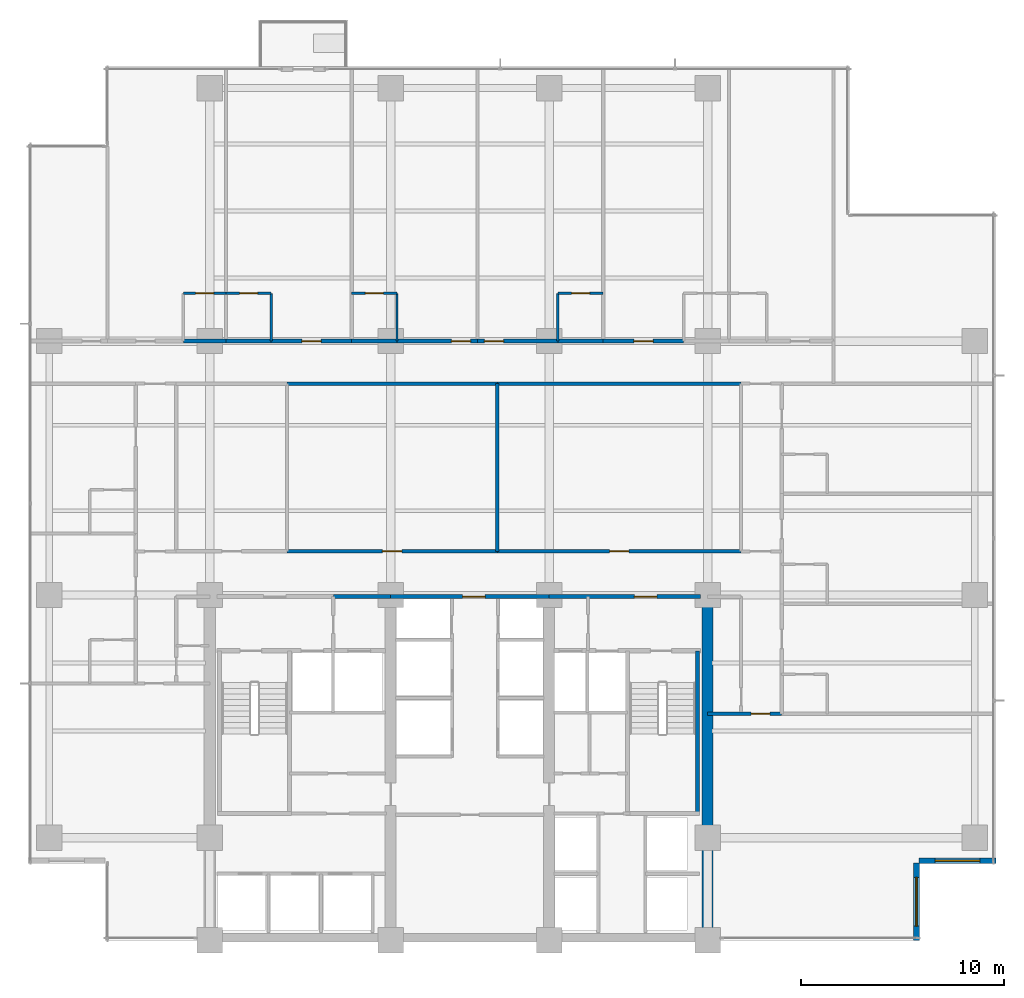
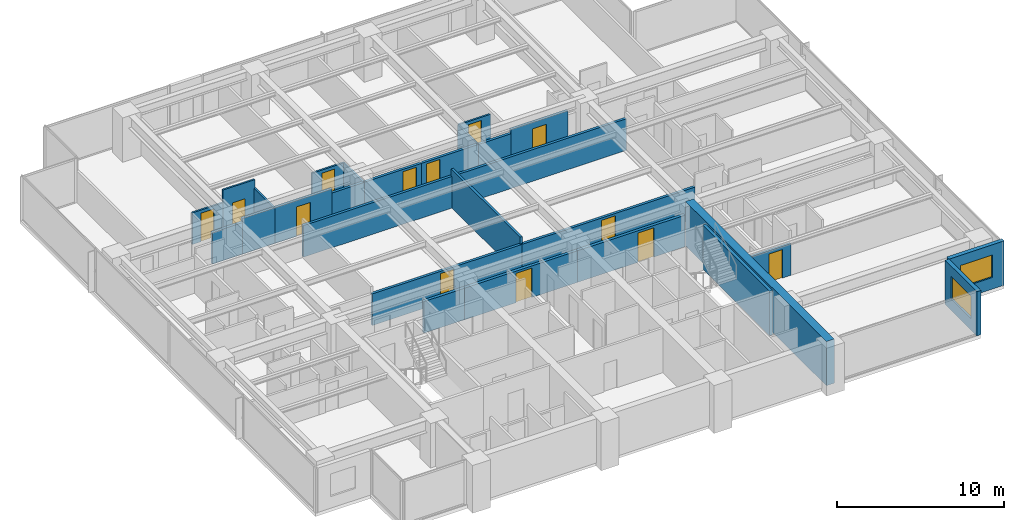
# One storey, part 10 of 17: 28 walls, 13 doors, 2 windows, 15 openings.
"""IFC4 building model written with IfcOpenShell, lengths in metres."""

from ifc_helpers import new_model, si_unit, direction, frame, frame_2d, origin, place, context, subcontext, project, spatial, rectangle, extrude, material, layer, layer_set, type_object, element, fill, save


model = new_model("IFC4")

# Units and contexts
model_context = context("Model", 3, precision=1e-05, world=origin(), true_north=direction((0.0, 1.0)))
body_context = subcontext(model_context, "Body", "Model", "MODEL_VIEW")
ifc_project = project(units=[si_unit("LENGTHUNIT", "METRE"), si_unit("AREAUNIT", "SQUARE_METRE"), si_unit("VOLUMEUNIT", "CUBIC_METRE"), si_unit("PLANEANGLEUNIT", "RADIAN"), si_unit("MASSUNIT", "GRAM", prefix="KILO")], contexts=[model_context])

# Site, building, storey
site_placement = place(None, origin())
site = spatial("IfcSite", under=ifc_project, at=site_placement, CompositionType="ELEMENT")
building_placement = place(site_placement, origin())
building = spatial("IfcBuilding", under=site, at=building_placement, Name="Qalmaran Belvedere Hotel", CompositionType="ELEMENT")
storey_placement = place(building_placement, frame((0.0, 0.0, 105.699951171875)))
storey = spatial("IfcBuildingStorey", under=building, at=storey_placement, Name="L26", CompositionType="ELEMENT", Elevation=105.699951171875)

# Wall
ifc_material_1 = material(Name="Concrete C60/75", Category="concrete")
ifc_layer_1 = layer(ifc_material_1, 0.550048828125, Name="Concrete C60/75")
ifc_layer_set_1 = layer_set([ifc_layer_1], Name="Concrete C60/75")
wall_type_1 = type_object("IfcWallType", Name="WL-CORE-550-C60", PredefinedType="SHEAR", material=ifc_layer_set_1)
wall_1_placement = place(storey_placement, frame((44.800048828125, 3.5, 0.0), z_axis=(0.0, 0.0, 1.0), x_axis=(0.0, 1.0, 0.0)))
element("IfcWall", 1, at=wall_1_placement, inside=storey, type_object=wall_type_1, Name="L26 East Core Shear Wall", PredefinedType="SHEAR", context=body_context, shape_type="SweptSolid", body=[
    extrude(rectangle(XDim=16.89990234375, YDim=0.550048828125, at=frame_2d((8.449951171875, 0.0))), origin(), (0.0, 0.0, 1.0), 3.239990234375),
])

# Wall, opening, window
ifc_material_2 = material(Name="Anodised Bronze Cladding")
ifc_layer_2 = layer(ifc_material_2, 0.280029296875, Name="Anodised Bronze Cladding")
ifc_layer_set_2 = layer_set([ifc_layer_2], Name="Anodised Bronze Cladding")
wall_type_2 = type_object("IfcWallType", Name="WL-EXT-BRNZ-280", PredefinedType="SOLIDWALL", material=ifc_layer_set_2)
wall_2_placement = place(storey_placement, frame((55.080078125, 3.5, 0.0), z_axis=(0.0, 0.0, 1.0), x_axis=(0.0, 1.0, 0.0)))
wall_2 = element("IfcWall", 2, at=wall_2_placement, inside=storey, type_object=wall_type_2, Name="L26 Corner Notch Wall 1", PredefinedType="SOLIDWALL", context=body_context, shape_type="SweptSolid", body=[
    extrude(rectangle(XDim=3.800048828125, YDim=0.280029296875, at=frame_2d((1.89990234375, 0.0))), origin(), (0.0, 0.0, 1.0), 3.239990234375),
])
opening_1_placement = place(wall_2_placement, frame((0.699951171875, 0.0, 0.85009765625)))
opening_1 = element("IfcOpeningElement", 3, at=opening_1_placement, cuts=wall_2, Name="Opening W-N24", PredefinedType="OPENING", context=body_context, shape_type="SweptSolid", body=[
    extrude(rectangle(XDim=2.39990234375, YDim=1.64990234375, at=frame_2d((1.199951171875, 0.824951171875))), frame((0.0, 0.14990234375, 0.0), z_axis=(0.0, -1.0, 0.0), x_axis=(1.0, 0.0, 0.0)), (0.0, 0.0, 1.0), 0.300048828125),
])
ifc_material_3 = material(Name="Solar-Control Double Glazing", Category="glass")
window_type_1 = type_object("IfcWindowType", Name="WN-NTC-2400X1650", PartitioningType="SINGLE_PANEL", PredefinedType="WINDOW", material=ifc_material_3)
window_1_placement = place(opening_1_placement, origin())
window_1 = element("IfcWindow", 4, at=window_1_placement, inside=storey, type_object=window_type_1, Name="L26 Corner Notch Window 1", OverallHeight=1.64990234375, OverallWidth=2.39990234375, PartitioningType="SINGLE_PANEL", PredefinedType="WINDOW", context=body_context, shape_type="SweptSolid", body=[
    extrude(rectangle(XDim=2.39990234375, YDim=1.64990234375, at=frame_2d((1.199951171875, 0.824951171875))), frame((0.0, 0.030029296875, 0.0), z_axis=(0.0, -1.0, 0.0), x_axis=(1.0, 0.0, 0.0)), (0.0, 0.0, 1.0), 0.06005859375),
])
fill(opening_1, window_1)

wall_3_placement = place(storey_placement, frame((55.199951171875, 7.419921875, 0.0), z_axis=(0.0, 0.0, 1.0), x_axis=(1.0, 0.0, 0.0)))
wall_3 = element("IfcWall", 5, at=wall_3_placement, inside=storey, type_object=wall_type_2, Name="L26 Corner Notch Wall 2", PredefinedType="SOLIDWALL", context=body_context, shape_type="SweptSolid", body=[
    extrude(rectangle(XDim=3.800048828125, YDim=0.280029296875, at=frame_2d((1.89990234375, 0.0))), origin(), (0.0, 0.0, 1.0), 3.239990234375),
])
opening_2_placement = place(wall_3_placement, frame((0.800048828125, 0.0, 0.85009765625)))
opening_2 = element("IfcOpeningElement", 6, at=opening_2_placement, cuts=wall_3, Name="Opening W-N22", PredefinedType="OPENING", context=body_context, shape_type="SweptSolid", body=[
    extrude(rectangle(XDim=2.199951171875, YDim=1.64990234375, at=frame_2d((1.10009765625, 0.824951171875))), frame((0.0, 0.14990234375, 0.0), z_axis=(0.0, -1.0, 0.0), x_axis=(1.0, 0.0, 0.0)), (0.0, 0.0, 1.0), 0.300048828125),
])
window_type_2 = type_object("IfcWindowType", Name="WN-NTC-2200X1650", PartitioningType="SINGLE_PANEL", PredefinedType="WINDOW", material=ifc_material_3)
window_2_placement = place(opening_2_placement, origin())
window_2 = element("IfcWindow", 7, at=window_2_placement, inside=storey, type_object=window_type_2, Name="L26 Corner Notch Window 2", OverallHeight=1.64990234375, OverallWidth=2.199951171875, PartitioningType="SINGLE_PANEL", PredefinedType="WINDOW", context=body_context, shape_type="SweptSolid", body=[
    extrude(rectangle(XDim=2.199951171875, YDim=1.64990234375, at=frame_2d((1.10009765625, 0.824951171875))), frame((0.0, 0.030029296875, 0.0), z_axis=(0.0, -1.0, 0.0), x_axis=(1.0, 0.0, 0.0)), (0.0, 0.0, 1.0), 0.06005859375),
])
fill(opening_2, window_2)

# Wall, opening, door
ifc_material_4 = material(Name="Moisture-Resistant Gypsum")
ifc_layer_3 = layer(ifc_material_4, 0.1201171875, Name="Moisture-Resistant Gypsum")
ifc_layer_set_3 = layer_set([ifc_layer_3], Name="Moisture-Resistant Gypsum")
wall_type_3 = type_object("IfcWallType", Name="WL-INT-120-BATH", PredefinedType="PARTITIONING", material=ifc_layer_set_3)
wall_4_placement = place(storey_placement, frame((18.99560546875, 35.35009765625, 0.0), z_axis=(0.0, 0.0, 1.0), x_axis=(1.0, 0.0, 0.0)))
wall_4 = element("IfcWall", 8, at=wall_4_placement, inside=storey, type_object=wall_type_3, Name="L26 Partition WL-L26-NBN00", PredefinedType="PARTITIONING", context=body_context, shape_type="SweptSolid", body=[
    extrude(rectangle(XDim=2.10009765625, YDim=0.1201171875, at=frame_2d((1.050048828125, 0.0))), origin(), (0.0, 0.0, 1.0), 2.31298828125),
])
opening_3_placement = place(wall_4_placement, frame((1.489990234375, 0.0, 0.0), z_axis=(0.0, 0.0, 1.0), x_axis=(-1.0, 0.0, 0.0)))
opening_3 = element("IfcOpeningElement", 9, at=opening_3_placement, cuts=wall_4, Name="Opening D-BATH", PredefinedType="OPENING", context=body_context, shape_type="SweptSolid", body=[
    extrude(rectangle(XDim=0.8798828125, YDim=2.080078125, at=frame_2d((0.43994140625, 1.0400390625))), frame((0.0, 0.070068359375, 0.0), z_axis=(0.0, -1.0, 0.0), x_axis=(1.0, 0.0, 0.0)), (0.0, 0.0, 1.0), 0.14013671875),
])
ifc_material_5 = material(Name="Engineered Oak Veneer")
door_type_1 = type_object("IfcDoorType", Name="DR-INT-BATH-880X2080", OperationType="NOTDEFINED", PredefinedType="DOOR", material=ifc_material_5)
door_1_placement = place(opening_3_placement, origin())
door_1 = element("IfcDoor", 10, at=door_1_placement, inside=storey, type_object=door_type_1, Name="L26 Ensuite Bathroom Door N01", OperationType="SINGLE_SWING_LEFT", OverallHeight=2.080078125, OverallWidth=0.8798828125, PredefinedType="DOOR", context=body_context, shape_type="SweptSolid", body=[
    extrude(rectangle(XDim=0.8798828125, YDim=2.080078125, at=frame_2d((0.43994140625, 1.0400390625))), frame((0.0, 0.02490234375, 0.0), z_axis=(0.0, -1.0, 0.0), x_axis=(1.0, 0.0, 0.0)), (0.0, 0.0, 1.0), 0.050048828125),
])
fill(opening_3, door_1)

wall_5_placement = place(storey_placement, frame((21.095703125, 35.35009765625, 0.0), z_axis=(0.0, 0.0, 1.0), x_axis=(1.0, 0.0, 0.0)))
wall_5 = element("IfcWall", 11, at=wall_5_placement, inside=storey, type_object=wall_type_3, Name="L26 Partition WL-L26-NBN01", PredefinedType="PARTITIONING", context=body_context, shape_type="SweptSolid", body=[
    extrude(rectangle(XDim=2.22998046875, YDim=0.1201171875, at=frame_2d((1.114990234375, 0.0))), origin(), (0.0, 0.0, 1.0), 3.239990234375),
])
opening_4_placement = place(wall_5_placement, frame((1.554931640625, 0.0, 0.0), z_axis=(0.0, 0.0, 1.0), x_axis=(-1.0, 0.0, 0.0)))
opening_4 = element("IfcOpeningElement", 12, at=opening_4_placement, cuts=wall_5, Name="Opening D-BATH", PredefinedType="OPENING", context=body_context, shape_type="SweptSolid", body=[
    extrude(rectangle(XDim=0.8798828125, YDim=2.080078125, at=frame_2d((0.43994140625, 1.0400390625))), frame((0.0, 0.070068359375, 0.0), z_axis=(0.0, -1.0, 0.0), x_axis=(1.0, 0.0, 0.0)), (0.0, 0.0, 1.0), 0.14013671875),
])
door_2_placement = place(opening_4_placement, origin())
door_2 = element("IfcDoor", 13, at=door_2_placement, inside=storey, type_object=door_type_1, Name="L26 Ensuite Bathroom Door N02", OperationType="SINGLE_SWING_LEFT", OverallHeight=2.080078125, OverallWidth=0.8798828125, PredefinedType="DOOR", context=body_context, shape_type="SweptSolid", body=[
    extrude(rectangle(XDim=0.8798828125, YDim=2.080078125, at=frame_2d((0.43994140625, 1.0400390625))), frame((0.0, 0.02490234375, 0.0), z_axis=(0.0, -1.0, 0.0), x_axis=(1.0, 0.0, 0.0)), (0.0, 0.0, 1.0), 0.050048828125),
])
fill(opening_4, door_2)

# Wall
wall_6_placement = place(storey_placement, frame((23.32568359375, 33.0, 0.0), z_axis=(0.0, 0.0, 1.0), x_axis=(0.0, 1.0, 0.0)))
element("IfcWall", 14, at=wall_6_placement, inside=storey, type_object=wall_type_3, Name="L26 Partition WL-L26-NBS01", PredefinedType="PARTITIONING", context=body_context, shape_type="SweptSolid", body=[
    extrude(rectangle(XDim=2.35009765625, YDim=0.1201171875, at=frame_2d((1.175048828125, 0.0))), origin(), (0.0, 0.0, 1.0), 2.614013671875),
])

# Wall, opening, door
wall_7_placement = place(storey_placement, frame((27.285400390625, 35.35009765625, 0.0), z_axis=(0.0, 0.0, 1.0), x_axis=(1.0, 0.0, 0.0)))
wall_7 = element("IfcWall", 15, at=wall_7_placement, inside=storey, type_object=wall_type_3, Name="L26 Partition WL-L26-NBN02", PredefinedType="PARTITIONING", context=body_context, shape_type="SweptSolid", body=[
    extrude(rectangle(XDim=2.22998046875, YDim=0.1201171875, at=frame_2d((1.114990234375, 0.0))), origin(), (0.0, 0.0, 1.0), 2.31298828125),
])
opening_5_placement = place(wall_7_placement, frame((1.554931640625, 0.0, 0.0), z_axis=(0.0, 0.0, 1.0), x_axis=(-1.0, 0.0, 0.0)))
opening_5 = element("IfcOpeningElement", 16, at=opening_5_placement, cuts=wall_7, Name="Opening D-BATH", PredefinedType="OPENING", context=body_context, shape_type="SweptSolid", body=[
    extrude(rectangle(XDim=0.8798828125, YDim=2.080078125, at=frame_2d((0.43994140625, 1.0400390625))), frame((0.0, 0.070068359375, 0.0), z_axis=(0.0, -1.0, 0.0), x_axis=(1.0, 0.0, 0.0)), (0.0, 0.0, 1.0), 0.14013671875),
])
door_3_placement = place(opening_5_placement, origin())
door_3 = element("IfcDoor", 17, at=door_3_placement, inside=storey, type_object=door_type_1, Name="L26 Ensuite Bathroom Door N03", OperationType="SINGLE_SWING_LEFT", OverallHeight=2.080078125, OverallWidth=0.8798828125, PredefinedType="DOOR", context=body_context, shape_type="SweptSolid", body=[
    extrude(rectangle(XDim=0.8798828125, YDim=2.080078125, at=frame_2d((0.43994140625, 1.0400390625))), frame((0.0, 0.02490234375, 0.0), z_axis=(0.0, -1.0, 0.0), x_axis=(1.0, 0.0, 0.0)), (0.0, 0.0, 1.0), 0.050048828125),
])
fill(opening_5, door_3)

# Wall
wall_8_placement = place(storey_placement, frame((29.515380859375, 33.0, 0.0), z_axis=(0.0, 0.0, 1.0), x_axis=(0.0, 1.0, 0.0)))
element("IfcWall", 18, at=wall_8_placement, inside=storey, type_object=wall_type_3, Name="L26 Partition WL-L26-NBS02", PredefinedType="PARTITIONING", context=body_context, shape_type="SweptSolid", body=[
    extrude(rectangle(XDim=2.35009765625, YDim=0.1201171875, at=frame_2d((1.175048828125, 0.0))), origin(), (0.0, 0.0, 1.0), 2.31298828125),
])

# Wall, opening, door
wall_9_placement = place(storey_placement, frame((37.434814453125, 35.35009765625, 0.0), z_axis=(0.0, 0.0, 1.0), x_axis=(1.0, 0.0, 0.0)))
wall_9 = element("IfcWall", 19, at=wall_9_placement, inside=storey, type_object=wall_type_3, Name="L26 Partition WL-L26-NBN03", PredefinedType="PARTITIONING", context=body_context, shape_type="SweptSolid", body=[
    extrude(rectangle(XDim=2.22998046875, YDim=0.1201171875, at=frame_2d((1.114990234375, 0.0))), origin(), (0.0, 0.0, 1.0), 2.31298828125),
])
opening_6_placement = place(wall_9_placement, frame((1.554931640625, 0.0, 0.0), z_axis=(0.0, 0.0, 1.0), x_axis=(-1.0, 0.0, 0.0)))
opening_6 = element("IfcOpeningElement", 20, at=opening_6_placement, cuts=wall_9, Name="Opening D-BATH", PredefinedType="OPENING", context=body_context, shape_type="SweptSolid", body=[
    extrude(rectangle(XDim=0.8798828125, YDim=2.080078125, at=frame_2d((0.43994140625, 1.0400390625))), frame((0.0, 0.070068359375, 0.0), z_axis=(0.0, -1.0, 0.0), x_axis=(1.0, 0.0, 0.0)), (0.0, 0.0, 1.0), 0.14013671875),
])
door_4_placement = place(opening_6_placement, origin())
door_4 = element("IfcDoor", 21, at=door_4_placement, inside=storey, type_object=door_type_1, Name="L26 Ensuite Bathroom Door N04", OperationType="SINGLE_SWING_LEFT", OverallHeight=2.080078125, OverallWidth=0.8798828125, PredefinedType="DOOR", context=body_context, shape_type="SweptSolid", body=[
    extrude(rectangle(XDim=0.8798828125, YDim=2.080078125, at=frame_2d((0.43994140625, 1.0400390625))), frame((0.0, 0.02490234375, 0.0), z_axis=(0.0, -1.0, 0.0), x_axis=(1.0, 0.0, 0.0)), (0.0, 0.0, 1.0), 0.050048828125),
])
fill(opening_6, door_4)

# Wall
wall_10_placement = place(storey_placement, frame((37.434814453125, 33.0, 0.0), z_axis=(0.0, 0.0, 1.0), x_axis=(0.0, 1.0, 0.0)))
element("IfcWall", 22, at=wall_10_placement, inside=storey, type_object=wall_type_3, Name="L26 Partition WL-L26-NBS03", PredefinedType="PARTITIONING", context=body_context, shape_type="SweptSolid", body=[
    extrude(rectangle(XDim=2.35009765625, YDim=0.1201171875, at=frame_2d((1.175048828125, 0.0))), origin(), (0.0, 0.0, 1.0), 2.31298828125),
])

# Wall, opening, door
ifc_material_6 = material(Name="Gypsum Stud Partition")
ifc_layer_4 = layer(ifc_material_6, 0.159912109375, Name="Gypsum Stud Partition")
ifc_layer_set_4 = layer_set([ifc_layer_4], Name="Gypsum Stud Partition")
wall_type_4 = type_object("IfcWallType", Name="WL-INT-160-EI60", PredefinedType="PARTITIONING", material=ifc_layer_set_4)
wall_11_placement = place(storey_placement, frame((44.800048828125, 14.64990234375, 0.0), z_axis=(0.0, 0.0, 1.0), x_axis=(1.0, 0.0, 0.0)))
wall_11 = element("IfcWall", 23, at=wall_11_placement, inside=storey, type_object=wall_type_4, Name="L26 Partition WL-L26-SERL", PredefinedType="PARTITIONING", context=body_context, shape_type="SweptSolid", body=[
    extrude(rectangle(XDim=3.64990234375, YDim=0.159912109375, at=frame_2d((1.824951171875, 0.0))), origin(), (0.0, 0.0, 1.0), 2.31298828125),
])
opening_7_placement = place(wall_11_placement, frame((3.06982421875, 0.0, 0.0), z_axis=(0.0, 0.0, 1.0), x_axis=(-1.0, 0.0, 0.0)))
opening_7 = element("IfcOpeningElement", 24, at=opening_7_placement, cuts=wall_11, Name="Opening FD60S1", PredefinedType="OPENING", context=body_context, shape_type="SweptSolid", body=[
    extrude(rectangle(XDim=0.919921875, YDim=2.080078125, at=frame_2d((0.4599609375, 1.0400390625))), frame((0.0, 0.08984375, 0.0), z_axis=(0.0, -1.0, 0.0), x_axis=(1.0, 0.0, 0.0)), (0.0, 0.0, 1.0), 0.179931640625),
])
door_type_2 = type_object("IfcDoorType", Name="DR-FD60S-920X2080", OperationType="NOTDEFINED", PredefinedType="DOOR", material=ifc_material_5)
door_5_placement = place(opening_7_placement, origin())
door_5 = element("IfcDoor", 25, at=door_5_placement, inside=storey, type_object=door_type_2, Name="L26 SE Lounge Door", OperationType="SINGLE_SWING_LEFT", OverallHeight=2.080078125, OverallWidth=0.919921875, PredefinedType="DOOR", context=body_context, shape_type="SweptSolid", body=[
    extrude(rectangle(XDim=0.919921875, YDim=2.080078125, at=frame_2d((0.4599609375, 1.0400390625))), frame((0.0, 0.02490234375, 0.0), z_axis=(0.0, -1.0, 0.0), x_axis=(1.0, 0.0, 0.0)), (0.0, 0.0, 1.0), 0.050048828125),
])
fill(opening_7, door_5)

# Wall
wall_12_placement = place(storey_placement, frame((34.449951171875, 22.64990234375, 0.0), z_axis=(0.0, 0.0, 1.0), x_axis=(0.0, 1.0, 0.0)))
element("IfcWall", 26, at=wall_12_placement, inside=storey, type_object=wall_type_4, Name="L26 Partition WL-L26-MIDVR2", PredefinedType="PARTITIONING", context=body_context, shape_type="SweptSolid", body=[
    extrude(rectangle(XDim=8.25, YDim=0.159912109375, at=frame_2d((4.125, 0.0))), origin(), (0.0, 0.0, 1.0), 2.818115234375),
])

# Wall, opening, door
ifc_layer_5 = layer(ifc_material_6, 0.179931640625, Name="Gypsum Stud Partition")
ifc_layer_set_5 = layer_set([ifc_layer_5], Name="Gypsum Stud Partition")
wall_type_5 = type_object("IfcWallType", Name="WL-INT-180-EI60", PredefinedType="PARTITIONING", material=ifc_layer_set_5)
wall_13_placement = place(storey_placement, frame((24.10009765625, 22.64990234375, 0.0), z_axis=(0.0, 0.0, 1.0), x_axis=(1.0, 0.0, 0.0)))
wall_13 = element("IfcWall", 27, at=wall_13_placement, inside=storey, type_object=wall_type_5, Name="L26 Partition WL-L26-MIDD2", PredefinedType="PARTITIONING", context=body_context, shape_type="SweptSolid", body=[
    extrude(rectangle(XDim=10.349853515625, YDim=0.179931640625, at=frame_2d((5.1748046875, 0.0))), origin(), (0.0, 0.0, 1.0), 2.31298828125),
])
opening_8_placement = place(wall_13_placement, frame((4.699951171875, 0.0, 0.0)))
opening_8 = element("IfcOpeningElement", 28, at=opening_8_placement, cuts=wall_13, Name="Opening FD60", PredefinedType="OPENING", context=body_context, shape_type="SweptSolid", body=[
    extrude(rectangle(XDim=0.949951171875, YDim=2.14990234375, at=frame_2d((0.47509765625, 1.074951171875))), frame((0.0, 0.10009765625, 0.0), z_axis=(0.0, -1.0, 0.0), x_axis=(1.0, 0.0, 0.0)), (0.0, 0.0, 1.0), 0.199951171875),
])
door_type_3 = type_object("IfcDoorType", Name="DR-FD60-950X2150", OperationType="NOTDEFINED", PredefinedType="DOOR", material=ifc_material_5)
door_6_placement = place(opening_8_placement, origin())
door_6 = element("IfcDoor", 29, at=door_6_placement, inside=storey, type_object=door_type_3, Name="L26 Club Lounge Door", OperationType="SINGLE_SWING_LEFT", OverallHeight=2.14990234375, OverallWidth=0.949951171875, PredefinedType="DOOR", context=body_context, shape_type="SweptSolid", body=[
    extrude(rectangle(XDim=0.949951171875, YDim=2.14990234375, at=frame_2d((0.47509765625, 1.074951171875))), frame((0.0, 0.02490234375, 0.0), z_axis=(0.0, -1.0, 0.0), x_axis=(1.0, 0.0, 0.0)), (0.0, 0.0, 1.0), 0.050048828125),
])
fill(opening_8, door_6)

# Wall
wall_14_placement = place(storey_placement, frame((24.10009765625, 30.89990234375, 0.0), z_axis=(0.0, 0.0, 1.0), x_axis=(1.0, 0.0, 0.0)))
element("IfcWall", 30, at=wall_14_placement, inside=storey, type_object=wall_type_5, Name="L26 Partition WL-L26-MIDO2", PredefinedType="PARTITIONING", context=body_context, shape_type="SweptSolid", body=[
    extrude(rectangle(XDim=10.349853515625, YDim=0.179931640625, at=frame_2d((5.1748046875, 0.0))), origin(), (0.0, 0.0, 1.0), 2.31298828125),
])

# Wall, opening, door
wall_15_placement = place(storey_placement, frame((34.449951171875, 22.64990234375, 0.0), z_axis=(0.0, 0.0, 1.0), x_axis=(1.0, 0.0, 0.0)))
wall_15 = element("IfcWall", 31, at=wall_15_placement, inside=storey, type_object=wall_type_5, Name="L26 Partition WL-L26-MIDD3", PredefinedType="PARTITIONING", context=body_context, shape_type="SweptSolid", body=[
    extrude(rectangle(XDim=12.0, YDim=0.179931640625, at=frame_2d((6.0, 0.0))), origin(), (0.0, 0.0, 1.0), 2.31298828125),
])
opening_9_placement = place(wall_15_placement, frame((5.52490234375, 0.0, 0.0)))
opening_9 = element("IfcOpeningElement", 32, at=opening_9_placement, cuts=wall_15, Name="Opening FD60", PredefinedType="OPENING", context=body_context, shape_type="SweptSolid", body=[
    extrude(rectangle(XDim=0.949951171875, YDim=2.14990234375, at=frame_2d((0.47509765625, 1.074951171875))), frame((0.0, 0.10009765625, 0.0), z_axis=(0.0, -1.0, 0.0), x_axis=(1.0, 0.0, 0.0)), (0.0, 0.0, 1.0), 0.199951171875),
])
door_7_placement = place(opening_9_placement, origin())
door_7 = element("IfcDoor", 33, at=door_7_placement, inside=storey, type_object=door_type_3, Name="L26 Fitness Spa Door", OperationType="SINGLE_SWING_RIGHT", OverallHeight=2.14990234375, OverallWidth=0.949951171875, PredefinedType="DOOR", context=body_context, shape_type="SweptSolid", body=[
    extrude(rectangle(XDim=0.949951171875, YDim=2.14990234375, at=frame_2d((0.47509765625, 1.074951171875))), frame((0.0, 0.02490234375, 0.0), z_axis=(0.0, -1.0, 0.0), x_axis=(1.0, 0.0, 0.0)), (0.0, 0.0, 1.0), 0.050048828125),
])
fill(opening_9, door_7)

# Walls
wall_16_placement = place(storey_placement, frame((34.449951171875, 30.89990234375, 0.0), z_axis=(0.0, 0.0, 1.0), x_axis=(1.0, 0.0, 0.0)))
element("IfcWall", 34, at=wall_16_placement, inside=storey, type_object=wall_type_5, Name="L26 Partition WL-L26-MIDO3", PredefinedType="PARTITIONING", context=body_context, shape_type="SweptSolid", body=[
    extrude(rectangle(XDim=12.0, YDim=0.179931640625, at=frame_2d((6.0, 0.0))), origin(), (0.0, 0.0, 1.0), 2.31298828125),
])
wall_17_placement = place(storey_placement, frame((18.99560546875, 33.0, 0.0), z_axis=(0.0, 0.0, 1.0), x_axis=(1.0, 0.0, 0.0)))
element("IfcWall", 35, at=wall_17_placement, inside=storey, type_object=wall_type_5, Name="L26 Partition WL-L26-NBC00", PredefinedType="PARTITIONING", context=body_context, shape_type="SweptSolid", body=[
    extrude(rectangle(XDim=2.10009765625, YDim=0.179931640625, at=frame_2d((1.050048828125, 0.0))), origin(), (0.0, 0.0, 1.0), 2.31298828125),
])
wall_18_placement = place(storey_placement, frame((21.095703125, 33.0, 0.0), z_axis=(0.0, 0.0, 1.0), x_axis=(1.0, 0.0, 0.0)))
element("IfcWall", 36, at=wall_18_placement, inside=storey, type_object=wall_type_5, Name="L26 Partition WL-L26-NBC01", PredefinedType="PARTITIONING", context=body_context, shape_type="SweptSolid", body=[
    extrude(rectangle(XDim=2.22998046875, YDim=0.179931640625, at=frame_2d((1.114990234375, 0.0))), origin(), (0.0, 0.0, 1.0), 2.614013671875),
])

# Wall, opening, door
wall_19_placement = place(storey_placement, frame((23.32568359375, 33.0, 0.0), z_axis=(0.0, 0.0, 1.0), x_axis=(1.0, 0.0, 0.0)))
wall_19 = element("IfcWall", 37, at=wall_19_placement, inside=storey, type_object=wall_type_5, Name="L26 Partition WL-L26-NEC01", PredefinedType="PARTITIONING", context=body_context, shape_type="SweptSolid", body=[
    extrude(rectangle(XDim=3.959716796875, YDim=0.179931640625, at=frame_2d((1.97998046875, 0.0))), origin(), (0.0, 0.0, 1.0), 2.614013671875),
])
opening_10_placement = place(wall_19_placement, frame((1.5048828125, 0.0, 0.0)))
opening_10 = element("IfcOpeningElement", 38, at=opening_10_placement, cuts=wall_19, Name="Opening FD60", PredefinedType="OPENING", context=body_context, shape_type="SweptSolid", body=[
    extrude(rectangle(XDim=0.949951171875, YDim=2.14990234375, at=frame_2d((0.47509765625, 1.074951171875))), frame((0.0, 0.10009765625, 0.0), z_axis=(0.0, -1.0, 0.0), x_axis=(1.0, 0.0, 0.0)), (0.0, 0.0, 1.0), 0.199951171875),
])
door_8_placement = place(opening_10_placement, origin())
door_8 = element("IfcDoor", 39, at=door_8_placement, inside=storey, type_object=door_type_3, Name="L26 Guest Entrance Door N02", OperationType="SINGLE_SWING_RIGHT", OverallHeight=2.14990234375, OverallWidth=0.949951171875, PredefinedType="DOOR", context=body_context, shape_type="SweptSolid", body=[
    extrude(rectangle(XDim=0.949951171875, YDim=2.14990234375, at=frame_2d((0.47509765625, 1.074951171875))), frame((0.0, 0.02490234375, 0.0), z_axis=(0.0, -1.0, 0.0), x_axis=(1.0, 0.0, 0.0)), (0.0, 0.0, 1.0), 0.050048828125),
])
fill(opening_10, door_8)

# Wall
wall_20_placement = place(storey_placement, frame((27.285400390625, 33.0, 0.0), z_axis=(0.0, 0.0, 1.0), x_axis=(1.0, 0.0, 0.0)))
element("IfcWall", 40, at=wall_20_placement, inside=storey, type_object=wall_type_5, Name="L26 Partition WL-L26-NBC02", PredefinedType="PARTITIONING", context=body_context, shape_type="SweptSolid", body=[
    extrude(rectangle(XDim=2.22998046875, YDim=0.179931640625, at=frame_2d((1.114990234375, 0.0))), origin(), (0.0, 0.0, 1.0), 2.31298828125),
])

# Wall, opening, door
wall_21_placement = place(storey_placement, frame((29.515380859375, 33.0, 0.0), z_axis=(0.0, 0.0, 1.0), x_axis=(1.0, 0.0, 0.0)))
wall_21 = element("IfcWall", 41, at=wall_21_placement, inside=storey, type_object=wall_type_5, Name="L26 Partition WL-L26-NEC02", PredefinedType="PARTITIONING", context=body_context, shape_type="SweptSolid", body=[
    extrude(rectangle(XDim=3.959716796875, YDim=0.179931640625, at=frame_2d((1.97998046875, 0.0))), origin(), (0.0, 0.0, 1.0), 2.31298828125),
])
opening_11_placement = place(wall_21_placement, frame((2.6728515625, 0.0, 0.0)))
opening_11 = element("IfcOpeningElement", 42, at=opening_11_placement, cuts=wall_21, Name="Opening FD60", PredefinedType="OPENING", context=body_context, shape_type="SweptSolid", body=[
    extrude(rectangle(XDim=0.949951171875, YDim=2.14990234375, at=frame_2d((0.47509765625, 1.074951171875))), frame((0.0, 0.10009765625, 0.0), z_axis=(0.0, -1.0, 0.0), x_axis=(1.0, 0.0, 0.0)), (0.0, 0.0, 1.0), 0.199951171875),
])
door_9_placement = place(opening_11_placement, origin())
door_9 = element("IfcDoor", 43, at=door_9_placement, inside=storey, type_object=door_type_3, Name="L26 Guest Entrance Door N03", OperationType="SINGLE_SWING_RIGHT", OverallHeight=2.14990234375, OverallWidth=0.949951171875, PredefinedType="DOOR", context=body_context, shape_type="SweptSolid", body=[
    extrude(rectangle(XDim=0.949951171875, YDim=2.14990234375, at=frame_2d((0.47509765625, 1.074951171875))), frame((0.0, 0.02490234375, 0.0), z_axis=(0.0, -1.0, 0.0), x_axis=(1.0, 0.0, 0.0)), (0.0, 0.0, 1.0), 0.050048828125),
])
fill(opening_11, door_9)

# Wall
wall_22_placement = place(storey_placement, frame((37.434814453125, 33.0, 0.0), z_axis=(0.0, 0.0, 1.0), x_axis=(1.0, 0.0, 0.0)))
element("IfcWall", 44, at=wall_22_placement, inside=storey, type_object=wall_type_5, Name="L26 Partition WL-L26-NBC03", PredefinedType="PARTITIONING", context=body_context, shape_type="SweptSolid", body=[
    extrude(rectangle(XDim=2.22998046875, YDim=0.179931640625, at=frame_2d((1.114990234375, 0.0))), origin(), (0.0, 0.0, 1.0), 2.31298828125),
])

# Wall, opening, door
wall_23_placement = place(storey_placement, frame((33.47509765625, 33.0, 0.0), z_axis=(0.0, 0.0, 1.0), x_axis=(1.0, 0.0, 0.0)))
wall_23 = element("IfcWall", 45, at=wall_23_placement, inside=storey, type_object=wall_type_5, Name="L26 Partition WL-L26-NEC03", PredefinedType="PARTITIONING", context=body_context, shape_type="SweptSolid", body=[
    extrude(rectangle(XDim=3.959716796875, YDim=0.179931640625, at=frame_2d((1.97998046875, 0.0))), origin(), (0.0, 0.0, 1.0), 2.31298828125),
])
opening_12_placement = place(wall_23_placement, frame((0.3369140625, 0.0, 0.0)))
opening_12 = element("IfcOpeningElement", 46, at=opening_12_placement, cuts=wall_23, Name="Opening FD60", PredefinedType="OPENING", context=body_context, shape_type="SweptSolid", body=[
    extrude(rectangle(XDim=0.949951171875, YDim=2.14990234375, at=frame_2d((0.47509765625, 1.074951171875))), frame((0.0, 0.10009765625, 0.0), z_axis=(0.0, -1.0, 0.0), x_axis=(1.0, 0.0, 0.0)), (0.0, 0.0, 1.0), 0.199951171875),
])
door_10_placement = place(opening_12_placement, origin())
door_10 = element("IfcDoor", 47, at=door_10_placement, inside=storey, type_object=door_type_3, Name="L26 Guest Entrance Door N04", OperationType="SINGLE_SWING_RIGHT", OverallHeight=2.14990234375, OverallWidth=0.949951171875, PredefinedType="DOOR", context=body_context, shape_type="SweptSolid", body=[
    extrude(rectangle(XDim=0.949951171875, YDim=2.14990234375, at=frame_2d((0.47509765625, 1.074951171875))), frame((0.0, 0.02490234375, 0.0), z_axis=(0.0, -1.0, 0.0), x_axis=(1.0, 0.0, 0.0)), (0.0, 0.0, 1.0), 0.050048828125),
])
fill(opening_12, door_10)

wall_24_placement = place(storey_placement, frame((39.664794921875, 33.0, 0.0), z_axis=(0.0, 0.0, 1.0), x_axis=(1.0, 0.0, 0.0)))
wall_24 = element("IfcWall", 48, at=wall_24_placement, inside=storey, type_object=wall_type_5, Name="L26 Partition WL-L26-NEC04", PredefinedType="PARTITIONING", context=body_context, shape_type="SweptSolid", body=[
    extrude(rectangle(XDim=3.959716796875, YDim=0.179931640625, at=frame_2d((1.97998046875, 0.0))), origin(), (0.0, 0.0, 1.0), 2.614013671875),
])
opening_13_placement = place(wall_24_placement, frame((1.5048828125, 0.0, 0.0)))
opening_13 = element("IfcOpeningElement", 49, at=opening_13_placement, cuts=wall_24, Name="Opening FD60", PredefinedType="OPENING", context=body_context, shape_type="SweptSolid", body=[
    extrude(rectangle(XDim=0.949951171875, YDim=2.14990234375, at=frame_2d((0.47509765625, 1.074951171875))), frame((0.0, 0.10009765625, 0.0), z_axis=(0.0, -1.0, 0.0), x_axis=(1.0, 0.0, 0.0)), (0.0, 0.0, 1.0), 0.199951171875),
])
door_11_placement = place(opening_13_placement, origin())
door_11 = element("IfcDoor", 50, at=door_11_placement, inside=storey, type_object=door_type_3, Name="L26 Guest Entrance Door N05", OperationType="SINGLE_SWING_RIGHT", OverallHeight=2.14990234375, OverallWidth=0.949951171875, PredefinedType="DOOR", context=body_context, shape_type="SweptSolid", body=[
    extrude(rectangle(XDim=0.949951171875, YDim=2.14990234375, at=frame_2d((0.47509765625, 1.074951171875))), frame((0.0, 0.02490234375, 0.0), z_axis=(0.0, -1.0, 0.0), x_axis=(1.0, 0.0, 0.0)), (0.0, 0.0, 1.0), 0.050048828125),
])
fill(opening_13, door_11)

# Wall
ifc_material_7 = material(Name="Concrete C30/37 Blockwork", Category="masonry")
ifc_layer_6 = layer(ifc_material_7, 0.199951171875, Name="Concrete C30/37 Blockwork")
ifc_layer_set_6 = layer_set([ifc_layer_6], Name="Concrete C30/37 Blockwork")
wall_type_6 = type_object("IfcWallType", Name="WL-INT-200-EI120", PredefinedType="PARTITIONING", material=ifc_layer_set_6)
wall_25_placement = place(storey_placement, frame((26.3798828125, 20.419921875, 0.0), z_axis=(0.0, 0.0, 1.0), x_axis=(1.0, 0.0, 0.0)))
element("IfcWall", 51, at=wall_25_placement, inside=storey, type_object=wall_type_6, Name="L26 Partition WL-CN1B-L26", PredefinedType="PARTITIONING", context=body_context, shape_type="SweptSolid", body=[
    extrude(rectangle(XDim=2.820068359375, YDim=0.199951171875, at=frame_2d((1.41015625, 0.0))), origin(), (0.0, 0.0, 1.0), 2.31298828125),
])

# Wall, opening, door
wall_26_placement = place(storey_placement, frame((29.199951171875, 20.419921875, 0.0), z_axis=(0.0, 0.0, 1.0), x_axis=(1.0, 0.0, 0.0)))
wall_26 = element("IfcWall", 52, at=wall_26_placement, inside=storey, type_object=wall_type_6, Name="L26 Partition WL-CN2-L26", PredefinedType="PARTITIONING", context=body_context, shape_type="SweptSolid", body=[
    extrude(rectangle(XDim=7.800048828125, YDim=0.199951171875, at=frame_2d((3.89990234375, 0.0))), origin(), (0.0, 0.0, 1.0), 2.31298828125),
])
opening_14_placement = place(wall_26_placement, frame((3.550048828125, 0.0, 0.0)))
opening_14 = element("IfcOpeningElement", 53, at=opening_14_placement, cuts=wall_26, Name="Opening FD90", PredefinedType="OPENING", context=body_context, shape_type="SweptSolid", body=[
    extrude(rectangle(XDim=1.10009765625, YDim=2.14990234375, at=frame_2d((0.550048828125, 1.074951171875))), frame((0.0, 0.10986328125, 0.0), z_axis=(0.0, -1.0, 0.0), x_axis=(1.0, 0.0, 0.0)), (0.0, 0.0, 1.0), 0.219970703125),
])
ifc_material_8 = material(Name="Steel S355JR", Category="steel")
door_type_4 = type_object("IfcDoorType", Name="DR-FD90-1100X2150", OperationType="NOTDEFINED", PredefinedType="DOOR", material=ifc_material_8)
door_12_placement = place(opening_14_placement, origin())
door_12 = element("IfcDoor", 54, at=door_12_placement, inside=storey, type_object=door_type_4, Name="L26 Central Lift Lobby Door", OperationType="SINGLE_SWING_RIGHT", OverallHeight=2.14990234375, OverallWidth=1.10009765625, PredefinedType="DOOR", context=body_context, shape_type="SweptSolid", body=[
    extrude(rectangle(XDim=1.10009765625, YDim=2.14990234375, at=frame_2d((0.550048828125, 1.074951171875))), frame((0.0, 0.02490234375, 0.0), z_axis=(0.0, -1.0, 0.0), x_axis=(1.0, 0.0, 0.0)), (0.0, 0.0, 1.0), 0.050048828125),
])
fill(opening_14, door_12)

wall_27_placement = place(storey_placement, frame((37.0, 20.419921875, 0.0), z_axis=(0.0, 0.0, 1.0), x_axis=(1.0, 0.0, 0.0)))
wall_27 = element("IfcWall", 55, at=wall_27_placement, inside=storey, type_object=wall_type_6, Name="L26 Partition WL-CN3-L26", PredefinedType="PARTITIONING", context=body_context, shape_type="SweptSolid", body=[
    extrude(rectangle(XDim=7.449951171875, YDim=0.199951171875, at=frame_2d((3.72509765625, 0.0))), origin(), (0.0, 0.0, 1.0), 2.31298828125),
])
opening_15_placement = place(wall_27_placement, frame((4.199951171875, 0.0, 0.0)))
opening_15 = element("IfcOpeningElement", 56, at=opening_15_placement, cuts=wall_27, Name="Opening FD90", PredefinedType="OPENING", context=body_context, shape_type="SweptSolid", body=[
    extrude(rectangle(XDim=1.10009765625, YDim=2.14990234375, at=frame_2d((0.550048828125, 1.074951171875))), frame((0.0, 0.10986328125, 0.0), z_axis=(0.0, -1.0, 0.0), x_axis=(1.0, 0.0, 0.0)), (0.0, 0.0, 1.0), 0.219970703125),
])
door_13_placement = place(opening_15_placement, origin())
door_13 = element("IfcDoor", 57, at=door_13_placement, inside=storey, type_object=door_type_4, Name="L26 FF2 Lobby Corridor Door", OperationType="SINGLE_SWING_LEFT", OverallHeight=2.14990234375, OverallWidth=1.10009765625, PredefinedType="DOOR", context=body_context, shape_type="SweptSolid", body=[
    extrude(rectangle(XDim=1.10009765625, YDim=2.14990234375, at=frame_2d((0.550048828125, 1.074951171875))), frame((0.0, 0.02490234375, 0.0), z_axis=(0.0, -1.0, 0.0), x_axis=(1.0, 0.0, 0.0)), (0.0, 0.0, 1.0), 0.050048828125),
])
fill(opening_15, door_13)

# Wall
ifc_material_9 = material(Name="Concrete C50/60", Category="concrete")
ifc_layer_7 = layer(ifc_material_9, 0.2099609375, Name="Concrete C50/60")
ifc_layer_set_7 = layer_set([ifc_layer_7], Name="Concrete C50/60")
wall_type_7 = type_object("IfcWallType", Name="WL-STAIR-210-C50", PredefinedType="SHEAR", material=ifc_layer_set_7)
wall_28_placement = place(storey_placement, frame((44.304931640625, 9.7451171875, 0.0), z_axis=(0.0, 0.0, 1.0), x_axis=(0.0, 1.0, 0.0)))
element("IfcWall", 58, at=wall_28_placement, inside=storey, type_object=wall_type_7, Name="L26 Stair ST-2 East Bearing Wall", PredefinedType="SHEAR", context=body_context, shape_type="SweptSolid", body=[
    extrude(rectangle(XDim=8.009765625, YDim=0.2099609375, at=frame_2d((4.0048828125, 0.0))), origin(), (0.0, 0.0, 1.0), 3.239990234375),
])

save(model, "model.ifc")
